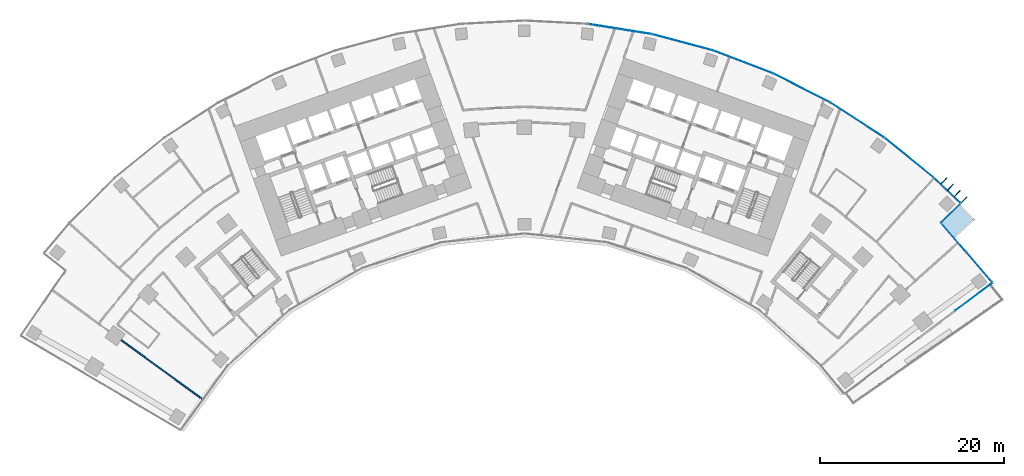
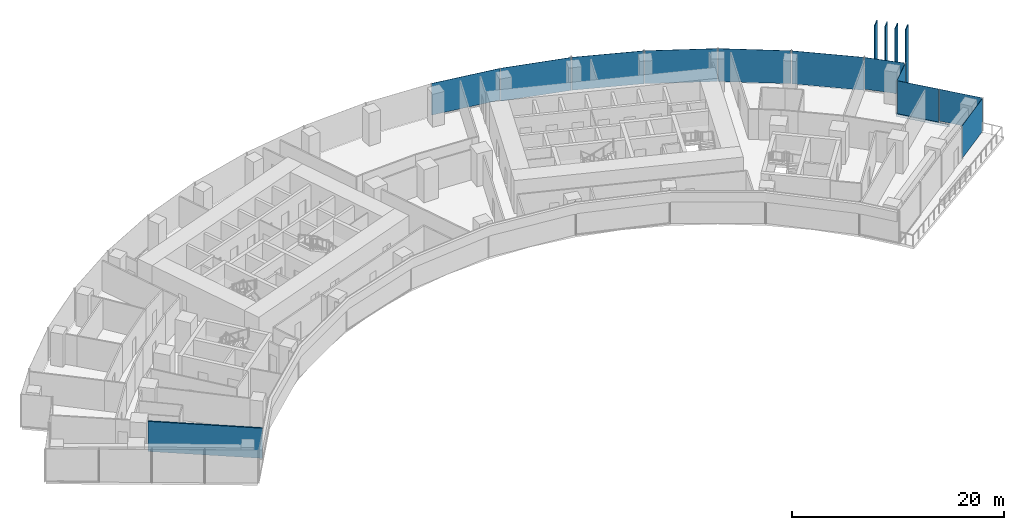
# One storey, part 13 of 21: 15 plates, 1 slab, 1 wall, 4 elements without a shape of their own.
"""IFC4 building model written with IfcOpenShell, lengths in metres."""

import ifcopenshell
import ifcopenshell.guid

model = None  # the IFC model being written
_history = None  # IfcOwnerHistory: only IFC2X3 demands one
_inside = {}  # id of a spatial element -> (the spatial element, [elements in it])
_under = {}  # id of a project, library or spatial element -> (it, [spatial elements below it])
_declared = {}  # id of a project -> (the project, [libraries it declares])
_typed = {}  # id of a type object -> (the type object, [elements of that type])
_made_of = {}  # id of a material, layer set ... -> (it, [elements and type objects made of it])


def new_model(schema):
    """Start an empty IFC model of exactly this schema.

    Asked for "IFC4X3", IfcOpenShell would pick the latest addendum, in which some entities
    have other attributes; the version numbers below select the first issue.
    IFC2X3 requires an IfcOwnerHistory on every rooted entity: one is made here for all.
    """
    global model, _history
    if schema == "IFC4X3":
        model = ifcopenshell.file(schema_version=(4, 3, 0, 0))
    else:
        model = ifcopenshell.file(schema=schema)
    _inside.clear()
    _under.clear()
    _declared.clear()
    _typed.clear()
    _made_of.clear()
    _history = None
    if model.schema == "IFC2X3":
        org = make("IfcOrganization", Name="unknown")
        user = make(
            "IfcPersonAndOrganization",
            ThePerson=make("IfcPerson", FamilyName="unknown"),
            TheOrganization=org,
        )
        app = make(
            "IfcApplication",
            ApplicationDeveloper=org,
            Version="unknown",
            ApplicationFullName="unknown",
            ApplicationIdentifier="unknown",
        )
        _history = make(
            "IfcOwnerHistory",
            OwningUser=user,
            OwningApplication=app,
            ChangeAction="ADDED",
            CreationDate=0,
        )
    return model


def make(cls, **values):
    """One entity of the class cls with the attributes given. An attribute that is None is left unset."""
    return model.create_entity(
        cls, **{name: value for name, value in values.items() if value is not None}
    )


def rooted(cls, **values):
    """An entity with a GlobalId (a new one), such as an element, a storey or a relation."""
    return make(cls, GlobalId=ifcopenshell.guid.new(), OwnerHistory=_history, **values)


def si_unit(unit_type, name, prefix=None):
    """IfcSIUnit, for example si_unit("LENGTHUNIT", "METRE", prefix="MILLI")."""
    return make("IfcSIUnit", UnitType=unit_type, Prefix=prefix, Name=name)


def assignment(units):
    """IfcUnitAssignment: the units of a project."""
    return None if units is None else make("IfcUnitAssignment", Units=units)


def point(xyz):
    """IfcCartesianPoint."""
    return None if xyz is None else make("IfcCartesianPoint", Coordinates=xyz)


def direction(xyz):
    """IfcDirection."""
    return None if xyz is None else make("IfcDirection", DirectionRatios=xyz)


def frame(location, z_axis=None, x_axis=None):
    """IfcAxis2Placement3D, a coordinate frame: its origin and axes. An axis left out is left unset."""
    return make(
        "IfcAxis2Placement3D",
        Location=point(location),
        Axis=direction(z_axis),
        RefDirection=direction(x_axis),
    )


def frame_2d(location, x_axis=None):
    """IfcAxis2Placement2D, a coordinate frame in the plane: its origin and x axis."""
    return make(
        "IfcAxis2Placement2D", Location=point(location), RefDirection=direction(x_axis)
    )


def origin():
    """The frame at (0, 0, 0) with its axes left unset."""
    return frame((0.0, 0.0, 0.0))


def origin_2d():
    """The frame at (0, 0) in the plane with its x axis left unset."""
    return frame_2d((0.0, 0.0))


def place(relative_to, where):
    """IfcLocalPlacement: puts the frame where relative to a parent placement (None: the world)."""
    return make(
        "IfcLocalPlacement", PlacementRelTo=relative_to, RelativePlacement=where
    )


def context(
    kind, dimensions, precision=None, world=None, true_north=None, identifier=None
):
    """IfcGeometricRepresentationContext, for example the 3D "Model" context."""
    return make(
        "IfcGeometricRepresentationContext",
        ContextIdentifier=identifier,
        ContextType=kind,
        CoordinateSpaceDimension=dimensions,
        Precision=precision,
        WorldCoordinateSystem=world,
        TrueNorth=true_north,
    )


def subcontext(parent, identifier, kind, view, scale=None):
    """IfcGeometricRepresentationSubContext, for example "Body" below "Model"."""
    return make(
        "IfcGeometricRepresentationSubContext",
        ContextIdentifier=identifier,
        ContextType=kind,
        ParentContext=parent,
        TargetScale=scale,
        TargetView=view,
    )


def project(units=None, contexts=None):
    """IfcProject with its units and contexts."""
    return rooted(
        "IfcProject",
        Name="project",
        RepresentationContexts=contexts,
        UnitsInContext=assignment(units),
    )


def spatial(cls, under=None, at=None, **own):
    """A site, building, storey or space (cls), placed at a placement, below another one or the project."""
    s = rooted(cls, ObjectPlacement=at, **own)
    if under is not None:
        _under.setdefault(under.id(), (under, []))[1].append(s)
    return s


def polyline(points):
    """IfcPolyline through the points."""
    return make("IfcPolyline", Points=[point(p) for p in points])


def profile(cls, at=None, kind="AREA", **sizes):
    """A parametric profile (cls). Its sizes go by their IFC names, for example OverallWidth=200.0."""
    return make(cls, ProfileType=kind, Position=at, **sizes)


def rectangle(**sizes):
    """IfcRectangleProfileDef."""
    return profile("IfcRectangleProfileDef", **sizes)


def outline(outer, holes=None, kind="AREA"):
    """IfcArbitraryClosedProfileDef: a profile drawn as a closed curve; with holes, ...WithVoids."""
    if holes is None:
        return make("IfcArbitraryClosedProfileDef", ProfileType=kind, OuterCurve=outer)
    return make(
        "IfcArbitraryProfileDefWithVoids",
        ProfileType=kind,
        OuterCurve=outer,
        InnerCurves=holes,
    )


def extrude(swept, where, along, depth):
    """IfcExtrudedAreaSolid: the profile swept, set in the frame where, extruded along a direction by depth."""
    return make(
        "IfcExtrudedAreaSolid",
        SweptArea=swept,
        Position=where,
        ExtrudedDirection=direction(along),
        Depth=depth,
    )


def shape(context_of_items, identifier, shape_type, items):
    """IfcShapeRepresentation: the items that make up one representation, for example the "Body"."""
    return make(
        "IfcShapeRepresentation",
        ContextOfItems=context_of_items,
        RepresentationIdentifier=identifier,
        RepresentationType=shape_type,
        Items=items,
    )


def material(Name=None, Category=None):
    """IfcMaterial."""
    return make("IfcMaterial", Name=Name, Category=Category)


def layer(
    of_material, thickness, ventilated=None, Name=None, Category=None, Priority=None
):
    """IfcMaterialLayer: one layer of a wall or slab, of a material (None: an air gap)."""
    return make(
        "IfcMaterialLayer",
        Material=of_material,
        LayerThickness=thickness,
        IsVentilated=ventilated,
        Name=Name,
        Category=Category,
        Priority=Priority,
    )


def layer_set(layers, Name=None):
    """IfcMaterialLayerSet."""
    return make("IfcMaterialLayerSet", MaterialLayers=layers, LayerSetName=Name)


def made_of(thing, what):
    """Note that an element or type object is made of a material, layer set ...; save() writes the relation."""
    if what is not None:
        _made_of.setdefault(what.id(), (what, []))[1].append(thing)
    return thing


def type_object(cls, material=None, **own):
    """A type object (cls), such as IfcWallType, which elements share."""
    return made_of(rooted(cls, **own), material)


def element(
    cls,
    number,
    at=None,
    inside=None,
    cuts=None,
    type_object=None,
    material=None,
    context=None,
    identifier="Body",
    shape_type=None,
    held_by="IfcProductDefinitionShape",
    body=None,
    shapes=None,
    **own,
):
    """One element of the class cls, such as IfcWall. Its Tag is "e" and its number.

    at: its placement. inside: the storey or other place that contains it. cuts: it is an
    opening in that element (IfcRelVoidsElement). A single representation is given by context,
    identifier, shape_type and body (its items); several are given by shapes. held_by: the class
    of the entity that holds the representations. save() writes the other relations.
    """
    e = rooted(cls, Tag="e%d" % number, ObjectPlacement=at, **own)
    if body is not None:
        shapes = [shape(context, identifier, shape_type, body)]
    if shapes is not None:
        e.Representation = make(held_by, Representations=shapes)
    if inside is not None:
        _inside.setdefault(inside.id(), (inside, []))[1].append(e)
    if cuts is not None:
        rooted(
            "IfcRelVoidsElement", RelatingBuildingElement=cuts, RelatedOpeningElement=e
        )
    if type_object is not None:
        _typed.setdefault(type_object.id(), (type_object, []))[1].append(e)
    return made_of(e, material)


def aggregate(whole, parts):
    """IfcRelAggregates: a whole, such as a stair, and the parts it consists of."""
    return rooted("IfcRelAggregates", RelatingObject=whole, RelatedObjects=parts)


def save(model, path):
    """Write the relations noted so far, then the file.

    IfcRelAggregates (storeys below a building ...), IfcRelContainedInSpatialStructure (elements
    in a storey), IfcRelDefinesByType, IfcRelAssociatesMaterial and IfcRelDeclares: one each for
    every whole, place, type object, material and project.
    """
    for whole, parts in _under.values():
        aggregate(whole, parts)
    for where, things in _inside.values():
        rooted(
            "IfcRelContainedInSpatialStructure",
            RelatedElements=things,
            RelatingStructure=where,
        )
    for kind, things in _typed.values():
        rooted("IfcRelDefinesByType", RelatedObjects=things, RelatingType=kind)
    for what, things in _made_of.values():
        rooted("IfcRelAssociatesMaterial", RelatedObjects=things, RelatingMaterial=what)
    for by, libraries in _declared.values():
        rooted("IfcRelDeclares", RelatingContext=by, RelatedDefinitions=libraries)
    model.write(path)


model = new_model("IFC4")

# Units and contexts
model_context = context("Model", 3, precision=1e-05, world=origin(), true_north=direction((0.0, 1.0)))
body_context = subcontext(model_context, "Body", "Model", "MODEL_VIEW")
ifc_project = project(units=[si_unit("LENGTHUNIT", "METRE"), si_unit("AREAUNIT", "SQUARE_METRE"), si_unit("VOLUMEUNIT", "CUBIC_METRE"), si_unit("PLANEANGLEUNIT", "RADIAN"), si_unit("MASSUNIT", "GRAM", prefix="KILO")], contexts=[model_context])

# Site, building, storey
site_placement = place(None, origin())
site = spatial("IfcSite", under=ifc_project, at=site_placement, CompositionType="ELEMENT")
building_placement = place(site_placement, origin())
building = spatial("IfcBuilding", under=site, at=building_placement, Name="Stone Belt Terrace Tower", CompositionType="ELEMENT")
storey_placement = place(building_placement, frame((0.0, 0.0, 68.0)))
storey = spatial("IfcBuildingStorey", under=building, at=storey_placement, Name="L16", CompositionType="ELEMENT", Elevation=68.0)

# Curtain wall, plates
ifc_material_1 = material(Name="Aluminium 6063-T6 anodised frame", Category="aluminium")
ifc_layer_1 = layer(ifc_material_1, 0.14990234375)
ifc_layer_set_1 = layer_set([ifc_layer_1], Name="CW-A unitised convex-face curtain wall")
curtain_wall_type_1 = type_object("IfcCurtainWallType", Name="CW-A unitised convex-face curtain wall", PredefinedType="NOTDEFINED", material=ifc_layer_set_1)
curtain_wall_1_placement = place(storey_placement, origin())
curtain_wall_1 = element("IfcCurtainWall", 1, at=curtain_wall_1_placement, inside=storey, type_object=curtain_wall_type_1, Name="CW-A convex face L16", PredefinedType="NOTDEFINED")
ifc_material_2 = material(Name="Clear double glazed unit")
ifc_layer_2 = layer(ifc_material_2, 0.031982421875)
ifc_layer_set_2 = layer_set([ifc_layer_2], Name="CW-A glass panel 32")
plate_type_1 = type_object("IfcPlateType", Name="CW-A glass panel 32", PredefinedType="CURTAIN_PANEL", material=ifc_layer_set_2)
plate_1_placement = place(storey_placement, frame((45.9765625, 48.109619140625, 0.14013671875), z_axis=(0.0, 0.0, 1.0), x_axis=(-0.723120883539, 0.690721497993, 0.0)))
plate_1 = element("IfcPlate", 2, at=plate_1_placement, type_object=plate_type_1, Name="CW-A panel 1.1", PredefinedType="CURTAIN_PANEL", context=body_context, shape_type="SweptSolid", body=[
    extrude(rectangle(XDim=3.888671875, YDim=0.031982421875, at=origin_2d()), origin(), (0.0, 0.0, 1.0), 3.659912109375),
])
plate_2_placement = place(storey_placement, frame((41.839599609375, 51.667724609375, 0.0), z_axis=(0.0, 0.0, 1.0), x_axis=(-0.777145961457, 0.62932039105, 0.0)))
plate_2 = element("IfcPlate", 3, at=plate_2_placement, type_object=plate_type_1, Name="CW-A panel 2.1", PredefinedType="CURTAIN_PANEL", context=body_context, shape_type="SweptSolid", body=[
    extrude(rectangle(XDim=6.900634765625, YDim=0.031982421875, at=origin_2d()), origin(), (0.0, 0.0, 1.0), 3.800048828125),
])
plate_3_placement = place(storey_placement, frame((36.209716796875, 55.758056640625, 0.0), z_axis=(0.0, 0.0, 1.0), x_axis=(-0.838670567945, 0.544639035015, 0.0)))
plate_3 = element("IfcPlate", 4, at=plate_3_placement, type_object=plate_type_1, Name="CW-A panel 3.1", PredefinedType="CURTAIN_PANEL", context=body_context, shape_type="SweptSolid", body=[
    extrude(rectangle(XDim=6.90087890625, YDim=0.031982421875, at=origin_2d()), origin(), (0.0, 0.0, 1.0), 3.800048828125),
])
plate_4_placement = place(storey_placement, frame((30.18310546875, 59.237548828125, 0.0), z_axis=(0.0, 0.0, 1.0), x_axis=(-0.891006524188, 0.45399049974, 0.0)))
plate_4 = element("IfcPlate", 5, at=plate_4_placement, type_object=plate_type_1, Name="CW-A panel 4.1", PredefinedType="CURTAIN_PANEL", context=body_context, shape_type="SweptSolid", body=[
    extrude(rectangle(XDim=6.90087890625, YDim=0.031982421875, at=origin_2d()), origin(), (0.0, 0.0, 1.0), 3.800048828125),
])
plate_5_placement = place(storey_placement, frame((23.82568359375, 62.068115234375, 0.0), z_axis=(0.0, 0.0, 1.0), x_axis=(-0.933580426497, 0.358367949545, 0.0)))
plate_5 = element("IfcPlate", 6, at=plate_5_placement, type_object=plate_type_1, Name="CW-A panel 5.1", PredefinedType="CURTAIN_PANEL", context=body_context, shape_type="SweptSolid", body=[
    extrude(rectangle(XDim=6.90087890625, YDim=0.031982421875, at=origin_2d()), origin(), (0.0, 0.0, 1.0), 3.800048828125),
])
plate_6_placement = place(storey_placement, frame((17.207275390625, 64.218505859375, 0.0), z_axis=(0.0, 0.0, 1.0), x_axis=(-0.965925826289, 0.258819045103, 0.0)))
plate_6 = element("IfcPlate", 7, at=plate_6_placement, type_object=plate_type_1, Name="CW-A panel 6.1", PredefinedType="CURTAIN_PANEL", context=body_context, shape_type="SweptSolid", body=[
    extrude(rectangle(XDim=6.90087890625, YDim=0.031982421875, at=origin_2d()), origin(), (0.0, 0.0, 1.0), 3.800048828125),
])
plate_7_placement = place(storey_placement, frame((10.400390625, 65.665283203125, 0.14013671875), z_axis=(0.0, 0.0, 1.0), x_axis=(-0.987688340595, 0.15643446504, 0.0)))
plate_7 = element("IfcPlate", 8, at=plate_7_placement, type_object=plate_type_1, Name="CW-A panel 7.1", PredefinedType="CURTAIN_PANEL", context=body_context, shape_type="SweptSolid", body=[
    extrude(rectangle(XDim=6.90087890625, YDim=0.031982421875, at=origin_2d()), origin(), (0.0, 0.0, 1.0), 3.659912109375),
])
aggregate(curtain_wall_1, [plate_1, plate_2, plate_3, plate_4, plate_5, plate_6, plate_7])

# Curtain wall, plate
ifc_layer_3 = layer(ifc_material_1, 0.14990234375)
ifc_layer_set_3 = layer_set([ifc_layer_3], Name="CW-C stick curtain wall, horn ends and notches")
curtain_wall_type_2 = type_object("IfcCurtainWallType", Name="CW-C stick curtain wall, horn ends and notches", PredefinedType="NOTDEFINED", material=ifc_layer_set_3)
curtain_wall_2_placement = place(storey_placement, origin())
curtain_wall_2 = element("IfcCurtainWall", 9, at=curtain_wall_2_placement, inside=storey, type_object=curtain_wall_type_2, Name="CW-C end face L16", PredefinedType="NOTDEFINED")
ifc_layer_4 = layer(ifc_material_2, 0.028076171875)
ifc_layer_set_4 = layer_set([ifc_layer_4], Name="CW-C glass panel 28")
plate_type_2 = type_object("IfcPlateType", Name="CW-C glass panel 28", PredefinedType="CURTAIN_PANEL", material=ifc_layer_set_4)
plate_8_placement = place(storey_placement, frame((48.858154296875, 36.551513671875, 0.0), z_axis=(0.0, 0.0, 1.0), x_axis=(0.799986505357, 0.600017992436, 0.0)))
plate_8 = element("IfcPlate", 10, at=plate_8_placement, type_object=plate_type_2, Name="CW-C panel 4.1", PredefinedType="CURTAIN_PANEL", context=body_context, shape_type="SweptSolid", body=[
    extrude(rectangle(XDim=4.974853515625, YDim=0.028076171875, at=origin_2d()), origin(), (0.0, 0.0, 1.0), 3.800048828125),
])
aggregate(curtain_wall_2, [plate_8])

# Curtain wall, plates
curtain_wall_3_placement = place(storey_placement, origin())
curtain_wall_3 = element("IfcCurtainWall", 11, at=curtain_wall_3_placement, inside=storey, type_object=curtain_wall_type_2, Name="CW-C notch face L16", PredefinedType="NOTDEFINED")
plate_9_placement = place(storey_placement, frame((49.466064453125, 39.76318359375, 0.1201171875), z_axis=(0.0, 0.0, 1.0), x_axis=(-0.652737860281, 0.757583847343, 0.0)))
plate_9 = element("IfcPlate", 12, at=plate_9_placement, type_object=plate_type_2, Name="CW-C panel 1.1", PredefinedType="CURTAIN_PANEL", context=body_context, shape_type="SweptSolid", body=[
    extrude(rectangle(XDim=4.268798828125, YDim=0.028076171875, at=origin_2d()), origin(), (0.0, 0.0, 1.0), 3.679931640625),
])
plate_10_placement = place(storey_placement, frame((46.68896484375, 42.986572265625, 0.0), z_axis=(0.0, 0.0, 1.0), x_axis=(-0.652737860281, 0.757583847343, 0.0)))
plate_10 = element("IfcPlate", 13, at=plate_10_placement, type_object=plate_type_2, Name="CW-C panel 2.1", PredefinedType="CURTAIN_PANEL", context=body_context, shape_type="SweptSolid", body=[
    extrude(rectangle(XDim=4.12060546875, YDim=0.028076171875, at=origin_2d()), origin(), (0.0, 0.0, 1.0), 3.800048828125),
])
aggregate(curtain_wall_3, [plate_9, plate_10])

# Curtain wall, plate
curtain_wall_4_placement = place(storey_placement, origin())
curtain_wall_4 = element("IfcCurtainWall", 14, at=curtain_wall_4_placement, inside=storey, type_object=curtain_wall_type_2, Name="CW-C notch face L16", PredefinedType="NOTDEFINED")
plate_11_placement = place(storey_placement, frame((46.365966796875, 45.658447265625, 0.1201171875), z_axis=(0.0, 0.0, 1.0), x_axis=(0.711713447851, 0.702469905511, 0.0)))
plate_11 = element("IfcPlate", 15, at=plate_11_placement, type_object=plate_type_2, Name="CW-C panel 1.1", PredefinedType="CURTAIN_PANEL", context=body_context, shape_type="SweptSolid", body=[
    extrude(rectangle(XDim=2.859375, YDim=0.028076171875, at=origin_2d()), origin(), (0.0, 0.0, 1.0), 3.679931640625),
])
aggregate(curtain_wall_4, [plate_11])

# Slab
ifc_material_3 = material(Name="Concrete B40", Category="concrete")
ifc_layer_5 = layer(ifc_material_3, 0.300048828125)
ifc_layer_set_5 = layer_set([ifc_layer_5], Name="Terrace slab 300 B40")
slab_type = type_object("IfcSlabType", Name="Terrace slab 300 B40", PredefinedType="FLOOR", material=ifc_layer_set_5)
slab_placement = place(storey_placement, frame((0.0, 0.0, -0.300048828125)))
element("IfcSlab", 16, at=slab_placement, inside=storey, type_object=slab_type, Name="Terrace slab L16-notch_roof-2", PredefinedType="FLOOR", context=body_context, shape_type="SweptSolid", body=[
    extrude(outline(polyline([(46.78564453125, 42.934326171875), (48.99609375, 44.962646484375), (47.2783203125, 46.664306640625), (45.19384765625, 44.606689453125), (48.68310546875, 40.556884765625), (48.68603515625, 40.559326171875), (46.78564453125, 42.934326171875)])), origin(), (0.0, 0.0, 1.0), 0.300048828125),
])

# Plates
ifc_material_4 = material(Name="Terracotta coloured glazed ceramic", Category="masonry")
ifc_layer_6 = layer(ifc_material_4, 0.10009765625)
ifc_layer_set_6 = layer_set([ifc_layer_6], Name="Terracotta fin 100 x 900")
plate_type_3 = type_object("IfcPlateType", Name="Terracotta fin 100 x 900", PredefinedType="SHEET", material=ifc_layer_set_6)
for number, where, z_axis, x_axis, name in (
    (17, (47.79931640625, 47.0947265625, 0.0), (0.0, 0.0, 1.0), (0.690721497993, 0.723120883539, 0.0), "FIN L16 1.1"),
    (18, (47.07666015625, 47.784912109375, 0.0), (0.0, 0.0, 1.0), (0.690721497993, 0.723120883539, 0.0), "FIN L16 1.2"),
    (19, (46.354248046875, 48.474853515625, 0.0), (0.0, 0.0, 1.0), (0.690721497993, 0.723120883539, 0.0), "FIN L16 1.3"),
    (20, (45.6318359375, 49.1650390625, 0.0), (0.0, 0.0, 1.0), (0.690721497993, 0.723120883539, 0.0), "FIN L16 1.4"),
):
    element("IfcPlate", number, at=place(storey_placement, frame(where, z_axis=z_axis, x_axis=x_axis)), inside=storey, type_object=plate_type_3, Name=name, PredefinedType="SHEET", context=body_context, shape_type="SweptSolid", body=[
        extrude(rectangle(XDim=0.89990234375, YDim=0.10009765625, at=origin_2d()), origin(), (0.0, 0.0, 1.0), 7.60009765625),
    ])

# Wall
ifc_material_5 = material(Name="Gypsum board partition")
ifc_layer_7 = layer(ifc_material_5, 0.14990234375)
ifc_layer_set_7 = layer_set([ifc_layer_7], Name="PARTITION 150 EI 60")
wall_type = type_object("IfcWallType", Name="PARTITION 150 EI 60", PredefinedType="PARTITIONING", material=ifc_layer_set_7)
wall_placement = place(storey_placement, frame((-43.82470703125, 31.83984375, 0.0), z_axis=(0.0, 0.0, 1.0), x_axis=(0.80903281135, -0.587763481478, 0.0)))
element("IfcWall", 21, at=wall_placement, inside=storey, type_object=wall_type, Name="L16/wall/i032", PredefinedType="PARTITIONING", context=body_context, shape_type="SweptSolid", body=[
    extrude(rectangle(XDim=10.883544921875, YDim=0.14990234375, at=frame_2d((5.44189453125, 0.0))), origin(), (0.0, 0.0, 1.0), 3.47998046875),
])

save(model, "model.ifc")
